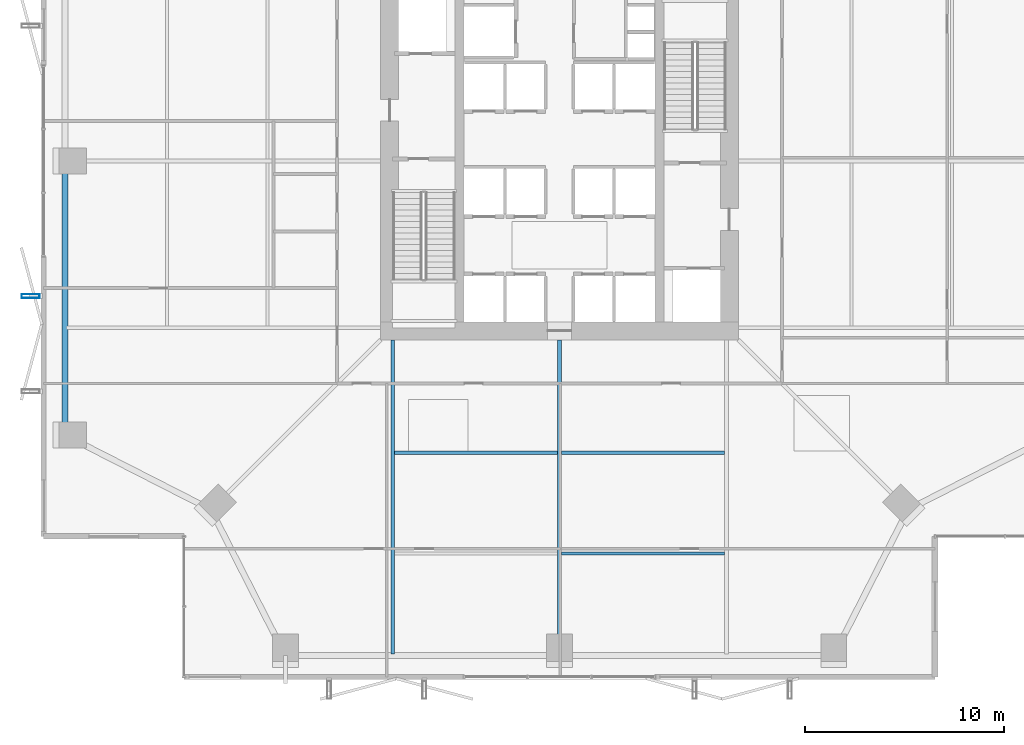
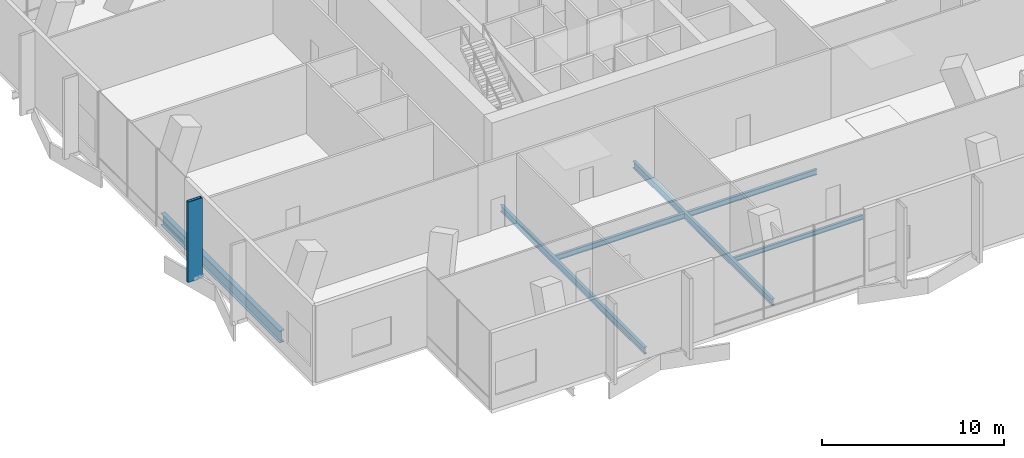
# One storey, part 5 of 28: 6 beams, 1 member.
"""IFC4 building model written with IfcOpenShell, lengths in metres."""

from ifc_helpers import new_model, si_unit, direction, frame, origin, origin_2d, place, context, subcontext, project, spatial, hollow_rectangle, i_section, extrude, material, material_profile, profile_set, type_object, element, save


model = new_model("IFC4")

# Units and contexts
model_context = context("Model", 3, precision=1e-05, world=origin(), true_north=direction((0.0, 1.0)))
body_context = subcontext(model_context, "Body", "Model", "MODEL_VIEW")
ifc_project = project(units=[si_unit("LENGTHUNIT", "METRE"), si_unit("AREAUNIT", "SQUARE_METRE"), si_unit("VOLUMEUNIT", "CUBIC_METRE"), si_unit("PLANEANGLEUNIT", "RADIAN"), si_unit("MASSUNIT", "GRAM", prefix="KILO")], contexts=[model_context])

# Site, building, storey
site_placement = place(None, origin())
site = spatial("IfcSite", under=ifc_project, at=site_placement, CompositionType="ELEMENT")
building_placement = place(site_placement, origin())
building = spatial("IfcBuilding", under=site, at=building_placement, Name="Belovzor Exchange Tower", CompositionType="ELEMENT")
storey_placement = place(building_placement, frame((0.0, 0.0, 132.89990234375)))
storey = spatial("IfcBuildingStorey", under=building, at=storey_placement, Name="L32", CompositionType="ELEMENT", Elevation=132.89990234375)

# Beams
ifc_material_1 = material(Name="Steel S355", Category="steel")
ifc_material_profile_1 = material_profile(ifc_material_1, i_section(OverallWidth=0.169921875, OverallDepth=0.360107421875, WebThickness=0.008056640625, FlangeThickness=0.0126953125, at=origin_2d()))
ifc_profile_set_1 = profile_set([ifc_material_profile_1], Name="Steel S355")
beam_type_1 = type_object("IfcBeamType", Name="Secondary Infill Floor Joist IPE 360", PredefinedType="BEAM", material=ifc_profile_set_1)
for number, where, z_axis, x_axis, name in (
    (1, (20.4951171875, 14.10302734375, -0.429931640625), (1.0, 0.0, 0.0), (0.0, 1.0, 0.0), "FJ-360 Secondary Infill Floor Joist IPE 360"),
    (2, (28.89501953125, 14.10302734375, -0.429931640625), (1.0, 0.0, 0.0), (0.0, 1.0, 0.0), "FJ-360 Secondary Infill Floor Joist IPE 360"),
):
    element("IfcBeam", number, at=place(storey_placement, frame(where, z_axis=z_axis, x_axis=x_axis)), inside=storey, type_object=beam_type_1, Name=name, PredefinedType="BEAM", context=body_context, shape_type="SweptSolid", body=[
        extrude(i_section(OverallWidth=0.169921875, OverallDepth=0.360107421875, WebThickness=0.008056640625, FlangeThickness=0.0126953125, at=origin_2d()), origin(), (0.0, 0.0, 1.0), 8.2099609375),
    ])
ifc_material_2 = material(Name="Steel S355", Category="steel")
ifc_material_profile_2 = material_profile(ifc_material_2, i_section(OverallWidth=0.14990234375, OverallDepth=0.300048828125, WebThickness=0.007080078125, FlangeThickness=0.0107421875, at=origin_2d()))
ifc_profile_set_2 = profile_set([ifc_material_profile_2], Name="Steel S355")
beam_type_2 = type_object("IfcBeamType", Name="Secondary Trim Floor Joist IPE 300", PredefinedType="BEAM", material=ifc_profile_set_2)
beam_1_placement = place(storey_placement, frame((28.89501953125, 9.0390625, -0.39990234375), z_axis=(1.0, 0.0, 0.0), x_axis=(0.0, 1.0, 0.0)))
element("IfcBeam", 3, at=beam_1_placement, inside=storey, type_object=beam_type_2, Name="FJ-300 Secondary Trim Floor Joist IPE 300", PredefinedType="BEAM", context=body_context, shape_type="SweptSolid", body=[
    extrude(i_section(OverallWidth=0.14990234375, OverallDepth=0.300048828125, WebThickness=0.007080078125, FlangeThickness=0.0107421875, at=origin_2d()), origin(), (0.0, 0.0, 1.0), 8.2099609375),
])
ifc_material_3 = material(Name="Steel S355", Category="steel")
ifc_material_profile_3 = material_profile(ifc_material_3, i_section(OverallWidth=0.300048828125, OverallDepth=0.800048828125, WebThickness=0.017578125, FlangeThickness=0.032958984375, at=origin_2d()))
ifc_profile_set_3 = profile_set([ifc_material_profile_3], Name="Steel S355")
beam_type_3 = type_object("IfcBeamType", Name="Sky-Lobby Primary Girder HEB 800", PredefinedType="BEAM", material=ifc_profile_set_3)
beam_2_placement = place(storey_placement, frame((3.89990234375, 28.44189453125, -0.64990234375), z_axis=(0.0, -1.0, 0.0), x_axis=(1.0, 0.0, 0.0)))
element("IfcBeam", 4, at=beam_2_placement, inside=storey, type_object=beam_type_3, Name="SG-1 Sky-Lobby Primary Girder HEB 800", PredefinedType="BEAM", context=body_context, shape_type="SweptSolid", body=[
    extrude(i_section(OverallWidth=0.300048828125, OverallDepth=0.800048828125, WebThickness=0.017578125, FlangeThickness=0.032958984375, at=origin_2d()), origin(), (0.0, 0.0, 1.0), 13.0849609375),
])

# Member
ifc_material_4 = material(Name="Extruded Architectural Terracotta on Steel S355 Carrier", Category="masonry")
ifc_material_profile_4 = material_profile(ifc_material_4, hollow_rectangle(XDim=0.199951171875, YDim=0.89990234375, WallThickness=0.011962890625, at=origin_2d()))
ifc_profile_set_4 = profile_set([ifc_material_profile_4], Name="Extruded Architectural Terracotta on Steel S355 Carrier")
member_type = type_object("IfcMemberType", Name="Sweeping Terracotta Baguette Fin Assembly 1250", PredefinedType="USERDEFINED", material=ifc_profile_set_4)
member_placement = place(storey_placement, frame((2.175048828125, 22.0, -0.25), z_axis=(0.0, 0.0, 1.0), x_axis=(0.0, 1.0, 0.0)))
element("IfcMember", 5, at=member_placement, inside=storey, type_object=member_type, Name="FIN-TC125 Terracotta Facade Fin L32 W2", ObjectType="FIN", PredefinedType="USERDEFINED", context=body_context, shape_type="SweptSolid", body=[
    extrude(hollow_rectangle(XDim=0.199951171875, YDim=0.89990234375, WallThickness=0.011962890625, at=origin_2d()), origin(), (0.0, 0.0, 1.0), 5.39501953125),
])

# Beams
ifc_material_5 = material(Name="Steel S355", Category="steel")
ifc_material_profile_5 = material_profile(ifc_material_5, i_section(OverallWidth=0.18994140625, OverallDepth=0.449951171875, WebThickness=0.009521484375, FlangeThickness=0.0146484375, at=origin_2d()))
ifc_profile_set_5 = profile_set([ifc_material_profile_5], Name="Steel S355")
beam_type_4 = type_object("IfcBeamType", Name="Zone 2-4 Radial Composite Floor Beam IPE 450", PredefinedType="BEAM", material=ifc_profile_set_5)
beam_3_placement = place(storey_placement, frame((20.39990234375, 19.800048828125, -0.474853515625), z_axis=(0.0, -1.0, 0.0), x_axis=(1.0, 0.0, 0.0)))
element("IfcBeam", 6, at=beam_3_placement, inside=storey, type_object=beam_type_4, Name="FB-450 Zone 2-4 Radial Composite Floor Beam IPE 450", PredefinedType="BEAM", context=body_context, shape_type="SweptSolid", body=[
    extrude(i_section(OverallWidth=0.18994140625, OverallDepth=0.449951171875, WebThickness=0.009521484375, FlangeThickness=0.0146484375, at=origin_2d()), origin(), (0.0, 0.0, 1.0), 15.824951171875),
])
beam_4_placement = place(storey_placement, frame((28.800048828125, 19.800048828125, -0.474853515625), z_axis=(0.0, -1.0, 0.0), x_axis=(1.0, 0.0, 0.0)))
element("IfcBeam", 7, at=beam_4_placement, inside=storey, type_object=beam_type_4, Name="FB-450 Zone 2-4 Radial Composite Floor Beam IPE 450", PredefinedType="BEAM", context=body_context, shape_type="SweptSolid", body=[
    extrude(i_section(OverallWidth=0.18994140625, OverallDepth=0.449951171875, WebThickness=0.009521484375, FlangeThickness=0.0146484375, at=origin_2d()), origin(), (0.0, 0.0, 1.0), 15.328125),
])

save(model, "model.ifc")
